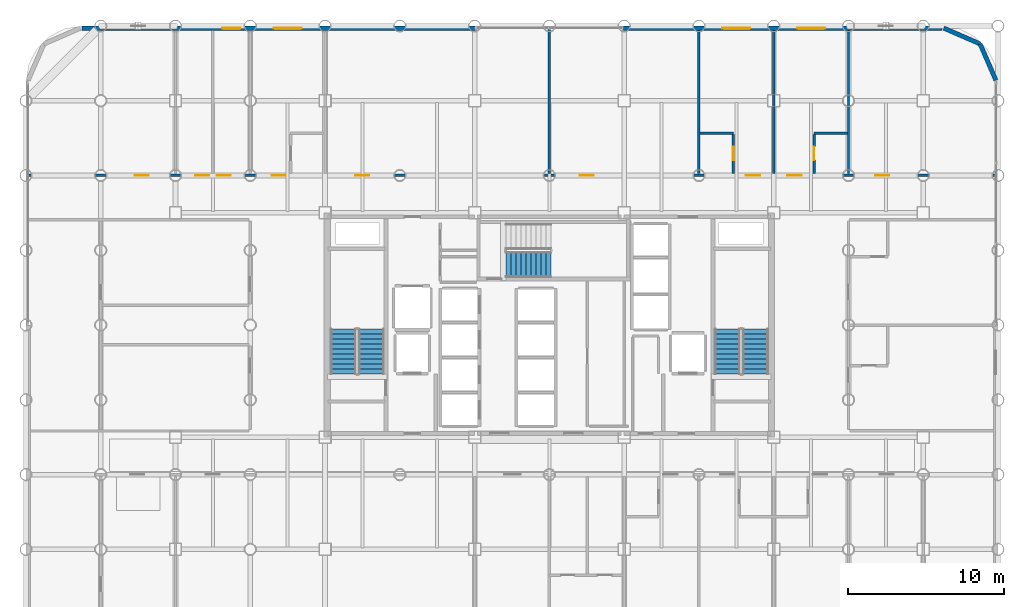
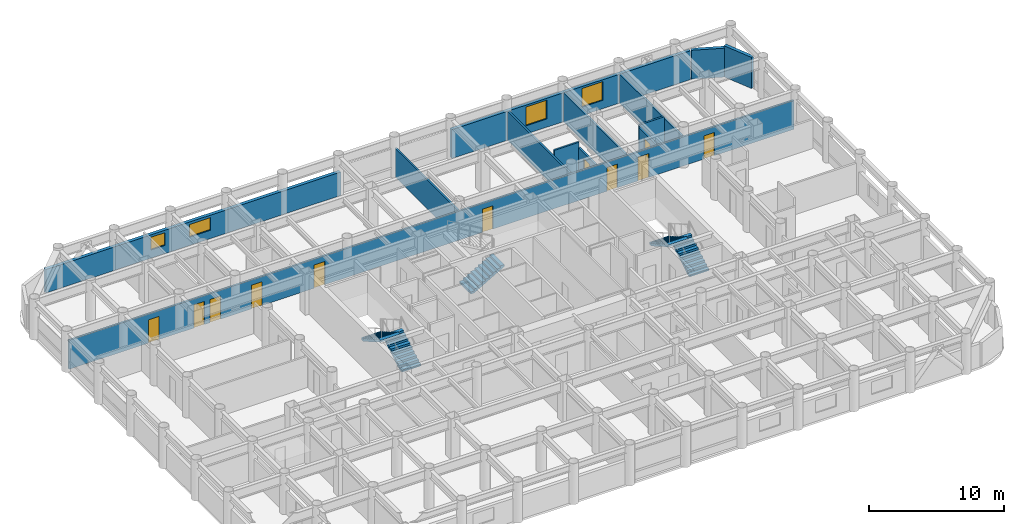
# One storey, part 19 of 22: 13 walls, 11 doors, 5 stair flights, 4 windows, 15 openings, 3 elements without a shape of their own.
"""IFC4 building model written with IfcOpenShell, lengths in metres."""

from ifc_helpers import new_model, si_unit, direction, frame, frame_2d, origin, place, context, subcontext, project, spatial, polyline, rectangle, outline, extrude, material, layer, layer_set, type_object, element, fill, aggregate, save


model = new_model("IFC4")

# Units and contexts
model_context = context("Model", 3, precision=1e-05, world=origin(), true_north=direction((0.0, 1.0)))
body_context = subcontext(model_context, "Body", "Model", "MODEL_VIEW")
ifc_project = project(units=[si_unit("LENGTHUNIT", "METRE"), si_unit("AREAUNIT", "SQUARE_METRE"), si_unit("VOLUMEUNIT", "CUBIC_METRE"), si_unit("PLANEANGLEUNIT", "RADIAN"), si_unit("MASSUNIT", "GRAM", prefix="KILO")], contexts=[model_context])

# Site, building, storey
site_placement = place(None, origin())
site = spatial("IfcSite", under=ifc_project, at=site_placement, CompositionType="ELEMENT")
building_placement = place(site_placement, origin())
building = spatial("IfcBuilding", under=site, at=building_placement, Name="Kallvorn Hotel Tower", CompositionType="ELEMENT")
storey_placement = place(building_placement, frame((0.0, 0.0, 48.5)))
storey = spatial("IfcBuildingStorey", under=building, at=storey_placement, Name="L10", CompositionType="ELEMENT", Elevation=48.5)

# Wall, openings, doors
ifc_material_1 = material(Name="Fire-rated double-layer acoustic gypsum drywall EI 60")
ifc_layer_1 = layer(ifc_material_1, 0.159912109375)
ifc_layer_set_1 = layer_set([ifc_layer_1], Name="WL_DEMISE_160")
wall_type_1 = type_object("IfcWallType", Name="WL_DEMISE_160", PredefinedType="PARTITIONING", material=ifc_layer_set_1)
wall_1_placement = place(storey_placement, frame((-33.429931640625, 9.60009765625, 0.0), z_axis=(0.0, 0.0, 1.0), x_axis=(1.0, 0.0, 0.0)))
wall_1 = element("IfcWall", 1, at=wall_1_placement, inside=storey, type_object=wall_type_1, Name="L10 Suite 1007 Standard Twin Room Partition", PredefinedType="PARTITIONING", context=body_context, shape_type="SweptSolid", body=[
    extrude(rectangle(XDim=62.059814453125, YDim=0.159912109375, at=frame_2d((31.02978515625, 0.0))), origin(), (0.0, 0.0, 1.0), 2.6201171875),
])
opening_1_placement = place(wall_1_placement, frame((6.799560546875, 0.0, 0.0)))
opening_1 = element("IfcOpeningElement", 2, at=opening_1_placement, cuts=wall_1, Name="Opening SVD1", PredefinedType="OPENING", context=body_context, shape_type="SweptSolid", body=[
    extrude(rectangle(XDim=0.89990234375, YDim=2.10009765625, at=frame_2d((0.449951171875, 1.050048828125))), frame((0.0, 0.094970703125, 0.0), z_axis=(0.0, -1.0, 0.0), x_axis=(1.0, 0.0, 0.0)), (0.0, 0.0, 1.0), 0.18994140625),
])
opening_2_placement = place(wall_1_placement, frame((54.360595703125, 0.0, 0.0)))
opening_2 = element("IfcOpeningElement", 3, at=opening_2_placement, cuts=wall_1, Name="Opening SVD1", PredefinedType="OPENING", context=body_context, shape_type="SweptSolid", body=[
    extrude(rectangle(XDim=0.89990234375, YDim=2.10009765625, at=frame_2d((0.449951171875, 1.050048828125))), frame((0.0, 0.094970703125, 0.0), z_axis=(0.0, -1.0, 0.0), x_axis=(1.0, 0.0, 0.0)), (0.0, 0.0, 1.0), 0.18994140625),
])
opening_3_placement = place(wall_1_placement, frame((10.68994140625, 0.0, 0.0)))
opening_3 = element("IfcOpeningElement", 4, at=opening_3_placement, cuts=wall_1, Name="Opening SVD1", PredefinedType="OPENING", context=body_context, shape_type="SweptSolid", body=[
    extrude(rectangle(XDim=0.89990234375, YDim=2.10009765625, at=frame_2d((0.449951171875, 1.050048828125))), frame((0.0, 0.094970703125, 0.0), z_axis=(0.0, -1.0, 0.0), x_axis=(1.0, 0.0, 0.0)), (0.0, 0.0, 1.0), 0.18994140625),
])
opening_4_placement = place(wall_1_placement, frame((12.070068359375, 0.0, 0.0)))
opening_4 = element("IfcOpeningElement", 5, at=opening_4_placement, cuts=wall_1, Name="Opening SVD1", PredefinedType="OPENING", context=body_context, shape_type="SweptSolid", body=[
    extrude(rectangle(XDim=0.89990234375, YDim=2.10009765625, at=frame_2d((0.449951171875, 1.050048828125))), frame((0.0, 0.094970703125, 0.0), z_axis=(0.0, -1.0, 0.0), x_axis=(1.0, 0.0, 0.0)), (0.0, 0.0, 1.0), 0.18994140625),
])
opening_5_placement = place(wall_1_placement, frame((15.60009765625, 0.0, 0.0)))
opening_5 = element("IfcOpeningElement", 6, at=opening_5_placement, cuts=wall_1, Name="Opening GD1", PredefinedType="OPENING", context=body_context, shape_type="SweptSolid", body=[
    extrude(rectangle(XDim=0.919921875, YDim=2.14990234375, at=frame_2d((0.4599609375, 1.074951171875))), frame((0.0, 0.094970703125, 0.0), z_axis=(0.0, -1.0, 0.0), x_axis=(1.0, 0.0, 0.0)), (0.0, 0.0, 1.0), 0.18994140625),
])
opening_6_placement = place(wall_1_placement, frame((20.97998046875, 0.0, 0.0)))
opening_6 = element("IfcOpeningElement", 7, at=opening_6_placement, cuts=wall_1, Name="Opening SVD1", PredefinedType="OPENING", context=body_context, shape_type="SweptSolid", body=[
    extrude(rectangle(XDim=0.89990234375, YDim=2.10009765625, at=frame_2d((0.449951171875, 1.050048828125))), frame((0.0, 0.094970703125, 0.0), z_axis=(0.0, -1.0, 0.0), x_axis=(1.0, 0.0, 0.0)), (0.0, 0.0, 1.0), 0.18994140625),
])
opening_7_placement = place(wall_1_placement, frame((35.3798828125, 0.0, 0.0)))
opening_7 = element("IfcOpeningElement", 8, at=opening_7_placement, cuts=wall_1, Name="Opening SVD1", PredefinedType="OPENING", context=body_context, shape_type="SweptSolid", body=[
    extrude(rectangle(XDim=0.89990234375, YDim=2.10009765625, at=frame_2d((0.449951171875, 1.050048828125))), frame((0.0, 0.094970703125, 0.0), z_axis=(0.0, -1.0, 0.0), x_axis=(1.0, 0.0, 0.0)), (0.0, 0.0, 1.0), 0.18994140625),
])
opening_8_placement = place(wall_1_placement, frame((46.034912109375, 0.0, 0.0)))
opening_8 = element("IfcOpeningElement", 9, at=opening_8_placement, cuts=wall_1, Name="Opening GD1", PredefinedType="OPENING", context=body_context, shape_type="SweptSolid", body=[
    extrude(rectangle(XDim=0.919921875, YDim=2.14990234375, at=frame_2d((0.4599609375, 1.074951171875))), frame((0.0, 0.094970703125, 0.0), z_axis=(0.0, -1.0, 0.0), x_axis=(1.0, 0.0, 0.0)), (0.0, 0.0, 1.0), 0.18994140625),
])
opening_9_placement = place(wall_1_placement, frame((48.705078125, 0.0, 0.0)))
opening_9 = element("IfcOpeningElement", 10, at=opening_9_placement, cuts=wall_1, Name="Opening GD1", PredefinedType="OPENING", context=body_context, shape_type="SweptSolid", body=[
    extrude(rectangle(XDim=0.919921875, YDim=2.14990234375, at=frame_2d((0.4599609375, 1.074951171875))), frame((0.0, 0.094970703125, 0.0), z_axis=(0.0, -1.0, 0.0), x_axis=(1.0, 0.0, 0.0)), (0.0, 0.0, 1.0), 0.18994140625),
])
ifc_material_2 = material(Name="Solid-core walnut veneer fire-rated timber door leaf", Category="wood")
door_type_1 = type_object("IfcDoorType", Name="DR_GUEST_920x2150", OperationType="NOTDEFINED", PredefinedType="DOOR", material=ifc_material_2)
door_1_placement = place(opening_5_placement, origin())
door_1 = element("IfcDoor", 11, at=door_1_placement, inside=storey, type_object=door_type_1, Name="L10 Suite 1007 Standard Twin Room Door", OperationType="SINGLE_SWING_RIGHT", OverallHeight=2.14990234375, OverallWidth=0.919921875, PredefinedType="DOOR", context=body_context, shape_type="SweptSolid", body=[
    extrude(rectangle(XDim=0.919921875, YDim=2.14990234375, at=frame_2d((0.4599609375, 1.074951171875))), frame((0.0, 0.02490234375, 0.0), z_axis=(0.0, -1.0, 0.0), x_axis=(1.0, 0.0, 0.0)), (0.0, 0.0, 1.0), 0.050048828125),
])
fill(opening_5, door_1)
door_2_placement = place(opening_8_placement, origin())
door_2 = element("IfcDoor", 12, at=door_2_placement, inside=storey, type_object=door_type_1, Name="L10 Suite 1008 Standard King Room Door", OperationType="SINGLE_SWING_RIGHT", OverallHeight=2.14990234375, OverallWidth=0.919921875, PredefinedType="DOOR", context=body_context, shape_type="SweptSolid", body=[
    extrude(rectangle(XDim=0.919921875, YDim=2.14990234375, at=frame_2d((0.4599609375, 1.074951171875))), frame((0.0, 0.02490234375, 0.0), z_axis=(0.0, -1.0, 0.0), x_axis=(1.0, 0.0, 0.0)), (0.0, 0.0, 1.0), 0.050048828125),
])
fill(opening_8, door_2)
door_3_placement = place(opening_9_placement, origin())
door_3 = element("IfcDoor", 13, at=door_3_placement, inside=storey, type_object=door_type_1, Name="L10 Suite 1009 Standard King Room Door", OperationType="SINGLE_SWING_RIGHT", OverallHeight=2.14990234375, OverallWidth=0.919921875, PredefinedType="DOOR", context=body_context, shape_type="SweptSolid", body=[
    extrude(rectangle(XDim=0.919921875, YDim=2.14990234375, at=frame_2d((0.4599609375, 1.074951171875))), frame((0.0, 0.02490234375, 0.0), z_axis=(0.0, -1.0, 0.0), x_axis=(1.0, 0.0, 0.0)), (0.0, 0.0, 1.0), 0.050048828125),
])
fill(opening_9, door_3)
ifc_material_3 = material(Name="Galvanised painted steel fire-rated door assembly", Category="steel")
door_type_2 = type_object("IfcDoorType", Name="DR_SERV_900x2100", OperationType="NOTDEFINED", PredefinedType="DOOR", material=ifc_material_3)
door_4_placement = place(opening_1_placement, origin())
door_4 = element("IfcDoor", 14, at=door_4_placement, inside=storey, type_object=door_type_2, Name="L10 L10 North-West Fitness Gymnasium Door", OperationType="SINGLE_SWING_RIGHT", OverallHeight=2.10009765625, OverallWidth=0.89990234375, PredefinedType="DOOR", context=body_context, shape_type="SweptSolid", body=[
    extrude(rectangle(XDim=0.89990234375, YDim=2.10009765625, at=frame_2d((0.449951171875, 1.050048828125))), frame((0.0, 0.02490234375, 0.0), z_axis=(0.0, -1.0, 0.0), x_axis=(1.0, 0.0, 0.0)), (0.0, 0.0, 1.0), 0.050048828125),
])
fill(opening_1, door_4)
door_5_placement = place(opening_2_placement, origin())
door_5 = element("IfcDoor", 15, at=door_5_placement, inside=storey, type_object=door_type_2, Name="L10 L10 North-East Reading Club Door", OperationType="SINGLE_SWING_LEFT", OverallHeight=2.10009765625, OverallWidth=0.89990234375, PredefinedType="DOOR", context=body_context, shape_type="SweptSolid", body=[
    extrude(rectangle(XDim=0.89990234375, YDim=2.10009765625, at=frame_2d((0.449951171875, 1.050048828125))), frame((0.0, 0.02490234375, 0.0), z_axis=(0.0, -1.0, 0.0), x_axis=(1.0, 0.0, 0.0)), (0.0, 0.0, 1.0), 0.050048828125),
])
fill(opening_2, door_5)
door_6_placement = place(opening_3_placement, origin())
door_6 = element("IfcDoor", 16, at=door_6_placement, inside=storey, type_object=door_type_2, Name="L10 Housekeeping and Linen Room Door", OperationType="SINGLE_SWING_LEFT", OverallHeight=2.10009765625, OverallWidth=0.89990234375, PredefinedType="DOOR", context=body_context, shape_type="SweptSolid", body=[
    extrude(rectangle(XDim=0.89990234375, YDim=2.10009765625, at=frame_2d((0.449951171875, 1.050048828125))), frame((0.0, 0.02490234375, 0.0), z_axis=(0.0, -1.0, 0.0), x_axis=(1.0, 0.0, 0.0)), (0.0, 0.0, 1.0), 0.050048828125),
])
fill(opening_3, door_6)
door_7_placement = place(opening_4_placement, origin())
door_7 = element("IfcDoor", 17, at=door_7_placement, inside=storey, type_object=door_type_2, Name="L10 Guest Tea and Refreshment Bar Door", OperationType="SINGLE_SWING_LEFT", OverallHeight=2.10009765625, OverallWidth=0.89990234375, PredefinedType="DOOR", context=body_context, shape_type="SweptSolid", body=[
    extrude(rectangle(XDim=0.89990234375, YDim=2.10009765625, at=frame_2d((0.449951171875, 1.050048828125))), frame((0.0, 0.02490234375, 0.0), z_axis=(0.0, -1.0, 0.0), x_axis=(1.0, 0.0, 0.0)), (0.0, 0.0, 1.0), 0.050048828125),
])
fill(opening_4, door_7)
door_8_placement = place(opening_6_placement, origin())
door_8 = element("IfcDoor", 18, at=door_8_placement, inside=storey, type_object=door_type_2, Name="L10 L10 Altitude Wellness Fitness Gymnasium 3 Door", OperationType="SINGLE_SWING_RIGHT", OverallHeight=2.10009765625, OverallWidth=0.89990234375, PredefinedType="DOOR", context=body_context, shape_type="SweptSolid", body=[
    extrude(rectangle(XDim=0.89990234375, YDim=2.10009765625, at=frame_2d((0.449951171875, 1.050048828125))), frame((0.0, 0.02490234375, 0.0), z_axis=(0.0, -1.0, 0.0), x_axis=(1.0, 0.0, 0.0)), (0.0, 0.0, 1.0), 0.050048828125),
])
fill(opening_6, door_8)
door_9_placement = place(opening_7_placement, origin())
door_9 = element("IfcDoor", 19, at=door_9_placement, inside=storey, type_object=door_type_2, Name="L10 L10 Curated Emerald Craft Retail Boutique 4 Door", OperationType="SINGLE_SWING_LEFT", OverallHeight=2.10009765625, OverallWidth=0.89990234375, PredefinedType="DOOR", context=body_context, shape_type="SweptSolid", body=[
    extrude(rectangle(XDim=0.89990234375, YDim=2.10009765625, at=frame_2d((0.449951171875, 1.050048828125))), frame((0.0, 0.02490234375, 0.0), z_axis=(0.0, -1.0, 0.0), x_axis=(1.0, 0.0, 0.0)), (0.0, 0.0, 1.0), 0.050048828125),
])
fill(opening_7, door_9)

# Walls
wall_2_placement = place(storey_placement, frame((9.679931640625, 12.320068359375, 0.0), z_axis=(0.0, 0.0, 1.0), x_axis=(1.0, 0.0, 0.0)))
element("IfcWall", 20, at=wall_2_placement, inside=storey, type_object=wall_type_1, Name="L10 Suite 1008 Standard King Room Partition", PredefinedType="PARTITIONING", context=body_context, shape_type="SweptSolid", body=[
    extrude(rectangle(XDim=2.130126953125, YDim=0.159912109375, at=frame_2d((1.06494140625, 0.0))), origin(), (0.0, 0.0, 1.0), 3.070068359375),
])
wall_3_placement = place(storey_placement, frame((16.989990234375, 12.320068359375, 0.0), z_axis=(0.0, 0.0, 1.0), x_axis=(1.0, 0.0, 0.0)))
element("IfcWall", 21, at=wall_3_placement, inside=storey, type_object=wall_type_1, Name="L10 Suite 1009 Standard King Room Partition", PredefinedType="PARTITIONING", context=body_context, shape_type="SweptSolid", body=[
    extrude(rectangle(XDim=2.130126953125, YDim=0.159912109375, at=frame_2d((1.06494140625, 0.0))), origin(), (0.0, 0.0, 1.0), 2.820068359375),
])
wall_4_placement = place(storey_placement, frame((9.60009765625, 9.719970703125, 0.0), z_axis=(0.0, 0.0, 1.0), x_axis=(0.0, 1.0, 0.0)))
element("IfcWall", 22, at=wall_4_placement, inside=storey, type_object=wall_type_1, Name="L10 Suite 1008 Standard King Room Partition", PredefinedType="PARTITIONING", context=body_context, shape_type="SweptSolid", body=[
    extrude(rectangle(XDim=9.18994140625, YDim=0.159912109375, at=frame_2d((4.594970703125, 0.0))), origin(), (0.0, 0.0, 1.0), 2.6201171875),
])

# Wall, opening, door
wall_5_placement = place(storey_placement, frame((11.81005859375, 9.719970703125, 0.0), z_axis=(0.0, 0.0, 1.0), x_axis=(0.0, 1.0, 0.0)))
wall_5 = element("IfcWall", 23, at=wall_5_placement, inside=storey, type_object=wall_type_1, Name="L10 Suite 1008 Standard King Room Partition", PredefinedType="PARTITIONING", context=body_context, shape_type="SweptSolid", body=[
    extrude(rectangle(XDim=2.51513671875, YDim=0.159912109375, at=frame_2d((1.257568359375, 0.0))), origin(), (0.0, 0.0, 1.0), 2.6201171875),
])
opening_10_placement = place(wall_5_placement, frame((0.8701171875, 0.0, 0.0)))
opening_10 = element("IfcOpeningElement", 24, at=opening_10_placement, cuts=wall_5, Name="Opening BD-I", PredefinedType="OPENING", context=body_context, shape_type="SweptSolid", body=[
    extrude(rectangle(XDim=0.860107421875, YDim=2.10009765625, at=frame_2d((0.43017578125, 1.050048828125))), frame((0.0, 0.094970703125, 0.0), z_axis=(0.0, -1.0, 0.0), x_axis=(1.0, 0.0, 0.0)), (0.0, 0.0, 1.0), 0.18994140625),
])
ifc_material_4 = material(Name="Solid-core walnut veneer fire-rated timber door leaf", Category="wood")
door_type_3 = type_object("IfcDoorType", Name="DR_BATH_860x2100", OperationType="NOTDEFINED", PredefinedType="DOOR", material=ifc_material_4)
door_10_placement = place(opening_10_placement, origin())
door_10 = element("IfcDoor", 25, at=door_10_placement, inside=storey, type_object=door_type_3, Name="L10 Suite 1008 En-Suite Bathroom Door", OperationType="SINGLE_SWING_LEFT", OverallHeight=2.10009765625, OverallWidth=0.860107421875, PredefinedType="DOOR", context=body_context, shape_type="SweptSolid", body=[
    extrude(rectangle(XDim=0.860107421875, YDim=2.10009765625, at=frame_2d((0.43017578125, 1.050048828125))), frame((0.0, 0.02490234375, 0.0), z_axis=(0.0, -1.0, 0.0), x_axis=(1.0, 0.0, 0.0)), (0.0, 0.0, 1.0), 0.050048828125),
])
fill(opening_10, door_10)

# Wall
wall_6_placement = place(storey_placement, frame((14.39990234375, 9.719970703125, 0.0), z_axis=(0.0, 0.0, 1.0), x_axis=(0.0, 1.0, 0.0)))
element("IfcWall", 26, at=wall_6_placement, inside=storey, type_object=wall_type_1, Name="L10 Suite 1008 Standard King Room Partition", PredefinedType="PARTITIONING", context=body_context, shape_type="SweptSolid", body=[
    extrude(rectangle(XDim=9.18994140625, YDim=0.159912109375, at=frame_2d((4.594970703125, 0.0))), origin(), (0.0, 0.0, 1.0), 2.6201171875),
])

# Wall, opening, door
wall_7_placement = place(storey_placement, frame((16.989990234375, 9.719970703125, 0.0), z_axis=(0.0, 0.0, 1.0), x_axis=(0.0, 1.0, 0.0)))
wall_7 = element("IfcWall", 27, at=wall_7_placement, inside=storey, type_object=wall_type_1, Name="L10 Suite 1009 Standard King Room Partition", PredefinedType="PARTITIONING", context=body_context, shape_type="SweptSolid", body=[
    extrude(rectangle(XDim=2.51513671875, YDim=0.159912109375, at=frame_2d((1.257568359375, 0.0))), origin(), (0.0, 0.0, 1.0), 2.6201171875),
])
opening_11_placement = place(wall_7_placement, frame((0.8701171875, 0.0, 0.0)))
opening_11 = element("IfcOpeningElement", 28, at=opening_11_placement, cuts=wall_7, Name="Opening BD-I", PredefinedType="OPENING", context=body_context, shape_type="SweptSolid", body=[
    extrude(rectangle(XDim=0.860107421875, YDim=2.10009765625, at=frame_2d((0.43017578125, 1.050048828125))), frame((0.0, 0.094970703125, 0.0), z_axis=(0.0, -1.0, 0.0), x_axis=(1.0, 0.0, 0.0)), (0.0, 0.0, 1.0), 0.18994140625),
])
door_11_placement = place(opening_11_placement, origin())
door_11 = element("IfcDoor", 29, at=door_11_placement, inside=storey, type_object=door_type_3, Name="L10 Suite 1009 En-Suite Bathroom Door", OperationType="SINGLE_SWING_LEFT", OverallHeight=2.10009765625, OverallWidth=0.860107421875, PredefinedType="DOOR", context=body_context, shape_type="SweptSolid", body=[
    extrude(rectangle(XDim=0.860107421875, YDim=2.10009765625, at=frame_2d((0.43017578125, 1.050048828125))), frame((0.0, 0.02490234375, 0.0), z_axis=(0.0, -1.0, 0.0), x_axis=(1.0, 0.0, 0.0)), (0.0, 0.0, 1.0), 0.050048828125),
])
fill(opening_11, door_11)

# Walls
wall_8_placement = place(storey_placement, frame((19.199951171875, 9.719970703125, 0.0), z_axis=(0.0, 0.0, 1.0), x_axis=(0.0, 1.0, 0.0)))
element("IfcWall", 30, at=wall_8_placement, inside=storey, type_object=wall_type_1, Name="L10 Suite 1009 Standard King Room Partition", PredefinedType="PARTITIONING", context=body_context, shape_type="SweptSolid", body=[
    extrude(rectangle(XDim=9.18994140625, YDim=0.159912109375, at=frame_2d((4.594970703125, 0.0))), origin(), (0.0, 0.0, 1.0), 2.6201171875),
])
ifc_material_5 = material(Name="Precast basalt-clad insulated concrete wall C40/50", Category="masonry")
ifc_layer_2 = layer(ifc_material_5, 0.280029296875)
ifc_layer_set_2 = layer_set([ifc_layer_2], Name="WL_EXT_LOGGIA_280")
wall_type_2 = type_object("IfcWallType", Name="WL_EXT_LOGGIA_280", PredefinedType="SOLIDWALL", material=ifc_layer_set_2)
wall_9_placement = place(storey_placement, frame((28.657958984375, 15.720703125, 0.0), z_axis=(0.0, 0.0, 1.0), x_axis=(-0.398792985289, 0.917040977756, 0.0)))
element("IfcWall", 31, at=wall_9_placement, inside=storey, type_object=wall_type_2, Name="L10 Rounded Corner Exterior Wall NE1", PredefinedType="SOLIDWALL", context=body_context, shape_type="SweptSolid", body=[
    extrude(rectangle(XDim=2.536376953125, YDim=0.280029296875, at=frame_2d((1.26806640625, 0.0))), origin(), (0.0, 0.0, 1.0), 2.820068359375),
])
wall_10_placement = place(storey_placement, frame((27.646484375, 18.046630859375, 0.0), z_axis=(0.0, 0.0, 1.0), x_axis=(-0.917060872934, 0.398747232384, 0.0)))
element("IfcWall", 32, at=wall_10_placement, inside=storey, type_object=wall_type_2, Name="L10 Rounded Corner Exterior Wall NE2", PredefinedType="SOLIDWALL", context=body_context, shape_type="SweptSolid", body=[
    extrude(rectangle(XDim=2.5361328125, YDim=0.280029296875, at=frame_2d((1.26806640625, 0.0))), origin(), (0.0, 0.0, 1.0), 2.6201171875),
])

# Wall, openings, windows
wall_11_placement = place(storey_placement, frame((-30.0, 19.06005859375, 0.0), z_axis=(0.0, 0.0, 1.0), x_axis=(1.0, 0.0, 0.0)))
wall_11 = element("IfcWall", 33, at=wall_11_placement, inside=storey, type_object=wall_type_2, Name="L10 Exterior Envelope Wall EW-L10-NW", PredefinedType="SOLIDWALL", context=body_context, shape_type="SweptSolid", body=[
    extrude(rectangle(XDim=25.25, YDim=0.280029296875, at=frame_2d((12.625, 0.0))), origin(), (0.0, 0.0, 1.0), 2.1201171875),
])
opening_12_placement = place(wall_11_placement, frame((9.0, 0.0, 0.75)))
opening_12 = element("IfcOpeningElement", 34, at=opening_12_placement, cuts=wall_11, Name="Opening W06A", PredefinedType="OPENING", context=body_context, shape_type="SweptSolid", body=[
    extrude(rectangle(XDim=1.199951171875, YDim=1.14990234375, at=frame_2d((0.60009765625, 0.574951171875))), frame((0.0, 0.155029296875, 0.0), z_axis=(0.0, -1.0, 0.0), x_axis=(1.0, 0.0, 0.0)), (0.0, 0.0, 1.0), 0.31005859375),
])
opening_13_placement = place(wall_11_placement, frame((12.300048828125, 0.0, 0.75)))
opening_13 = element("IfcOpeningElement", 35, at=opening_13_placement, cuts=wall_11, Name="Opening W04A", PredefinedType="OPENING", context=body_context, shape_type="SweptSolid", body=[
    extrude(rectangle(XDim=1.800048828125, YDim=1.14990234375, at=frame_2d((0.89990234375, 0.574951171875))), frame((0.0, 0.155029296875, 0.0), z_axis=(0.0, -1.0, 0.0), x_axis=(1.0, 0.0, 0.0)), (0.0, 0.0, 1.0), 0.31005859375),
])
ifc_material_6 = material(Name="Triple-glazed low-e acoustic solar-control dark glass", Category="glass")
window_type_1 = type_object("IfcWindowType", Name="WN_HTL_1200x1150", PartitioningType="SINGLE_PANEL", PredefinedType="WINDOW", material=ifc_material_6)
window_1_placement = place(opening_12_placement, origin())
window_1 = element("IfcWindow", 36, at=window_1_placement, inside=storey, type_object=window_type_1, Name="L10 Guestroom Exterior Window 06", OverallHeight=1.14990234375, OverallWidth=1.199951171875, PartitioningType="SINGLE_PANEL", PredefinedType="WINDOW", context=body_context, shape_type="SweptSolid", body=[
    extrude(rectangle(XDim=1.199951171875, YDim=1.14990234375, at=frame_2d((0.60009765625, 0.574951171875))), frame((0.0, 0.030029296875, 0.0), z_axis=(0.0, -1.0, 0.0), x_axis=(1.0, 0.0, 0.0)), (0.0, 0.0, 1.0), 0.06005859375),
])
fill(opening_12, window_1)
ifc_material_7 = material(Name="Double-glazed low-e solar-control dark glass", Category="glass")
window_type_2 = type_object("IfcWindowType", Name="WN_HTL_1800x1150", PartitioningType="SINGLE_PANEL", PredefinedType="WINDOW", material=ifc_material_7)
window_2_placement = place(opening_13_placement, origin())
window_2 = element("IfcWindow", 37, at=window_2_placement, inside=storey, type_object=window_type_2, Name="L10 Guestroom Exterior Window 07", OverallHeight=1.14990234375, OverallWidth=1.800048828125, PartitioningType="SINGLE_PANEL", PredefinedType="WINDOW", context=body_context, shape_type="SweptSolid", body=[
    extrude(rectangle(XDim=1.800048828125, YDim=1.14990234375, at=frame_2d((0.89990234375, 0.574951171875))), frame((0.0, 0.030029296875, 0.0), z_axis=(0.0, -1.0, 0.0), x_axis=(1.0, 0.0, 0.0)), (0.0, 0.0, 1.0), 0.06005859375),
])
fill(opening_13, window_2)

wall_12_placement = place(storey_placement, frame((4.75, 19.06005859375, 0.0), z_axis=(0.0, 0.0, 1.0), x_axis=(1.0, 0.0, 0.0)))
wall_12 = element("IfcWall", 38, at=wall_12_placement, inside=storey, type_object=wall_type_2, Name="L10 Exterior Envelope Wall EW-L10-NE", PredefinedType="SOLIDWALL", context=body_context, shape_type="SweptSolid", body=[
    extrude(rectangle(XDim=20.449951171875, YDim=0.280029296875, at=frame_2d((10.22509765625, 0.0))), origin(), (0.0, 0.0, 1.0), 2.6201171875),
])
opening_14_placement = place(wall_12_placement, frame((6.35009765625, 0.0, 0.75)))
opening_14 = element("IfcOpeningElement", 39, at=opening_14_placement, cuts=wall_12, Name="Opening W04", PredefinedType="OPENING", context=body_context, shape_type="SweptSolid", body=[
    extrude(rectangle(XDim=1.800048828125, YDim=1.699951171875, at=frame_2d((0.89990234375, 0.85009765625))), frame((0.0, 0.155029296875, 0.0), z_axis=(0.0, -1.0, 0.0), x_axis=(1.0, 0.0, 0.0)), (0.0, 0.0, 1.0), 0.31005859375),
])
opening_15_placement = place(wall_12_placement, frame((11.14990234375, 0.0, 0.75)))
opening_15 = element("IfcOpeningElement", 40, at=opening_15_placement, cuts=wall_12, Name="Opening W04", PredefinedType="OPENING", context=body_context, shape_type="SweptSolid", body=[
    extrude(rectangle(XDim=1.800048828125, YDim=1.699951171875, at=frame_2d((0.89990234375, 0.85009765625))), frame((0.0, 0.155029296875, 0.0), z_axis=(0.0, -1.0, 0.0), x_axis=(1.0, 0.0, 0.0)), (0.0, 0.0, 1.0), 0.31005859375),
])
ifc_material_8 = material(Name="Double-glazed low-e solar-control dark glass", Category="glass")
window_type_3 = type_object("IfcWindowType", Name="WN_HTL_1800x1700", PartitioningType="SINGLE_PANEL", PredefinedType="WINDOW", material=ifc_material_8)
window_3_placement = place(opening_14_placement, origin())
window_3 = element("IfcWindow", 41, at=window_3_placement, inside=storey, type_object=window_type_3, Name="L10 Guestroom Exterior Window 08", OverallHeight=1.699951171875, OverallWidth=1.800048828125, PartitioningType="SINGLE_PANEL", PredefinedType="WINDOW", context=body_context, shape_type="SweptSolid", body=[
    extrude(rectangle(XDim=1.800048828125, YDim=1.699951171875, at=frame_2d((0.89990234375, 0.85009765625))), frame((0.0, 0.030029296875, 0.0), z_axis=(0.0, -1.0, 0.0), x_axis=(1.0, 0.0, 0.0)), (0.0, 0.0, 1.0), 0.06005859375),
])
fill(opening_14, window_3)
window_4_placement = place(opening_15_placement, origin())
window_4 = element("IfcWindow", 42, at=window_4_placement, inside=storey, type_object=window_type_3, Name="L10 Guestroom Exterior Window 09", OverallHeight=1.699951171875, OverallWidth=1.800048828125, PartitioningType="SINGLE_PANEL", PredefinedType="WINDOW", context=body_context, shape_type="SweptSolid", body=[
    extrude(rectangle(XDim=1.800048828125, YDim=1.699951171875, at=frame_2d((0.89990234375, 0.85009765625))), frame((0.0, 0.030029296875, 0.0), z_axis=(0.0, -1.0, 0.0), x_axis=(1.0, 0.0, 0.0)), (0.0, 0.0, 1.0), 0.06005859375),
])
fill(opening_15, window_4)

# Wall
ifc_material_9 = material(Name="Fire-rated double-layer acoustic gypsum drywall EI 60")
ifc_layer_3 = layer(ifc_material_9, 0.14990234375)
ifc_layer_set_3 = layer_set([ifc_layer_3], Name="WL_PART_150")
wall_type_3 = type_object("IfcWallType", Name="WL_PART_150", PredefinedType="PARTITIONING", material=ifc_layer_set_3)
wall_13_placement = place(storey_placement, frame((0.0, 9.719970703125, 0.0), z_axis=(0.0, 0.0, 1.0), x_axis=(0.0, 1.0, 0.0)))
element("IfcWall", 43, at=wall_13_placement, inside=storey, type_object=wall_type_3, Name="L10 L10 Altitude Wellness Fitness Gymnasium 3 Partition", PredefinedType="PARTITIONING", context=body_context, shape_type="SweptSolid", body=[
    extrude(rectangle(XDim=9.275146484375, YDim=0.14990234375, at=frame_2d((4.6376953125, 0.0))), origin(), (0.0, 0.0, 1.0), 2.6201171875),
])

# Stair, stair flights
ifc_material_10 = material(Name="Precast concrete C40/50", Category="concrete")
stair_type = type_object("IfcStairType", Name="STR_CORE_DOGLEG", PredefinedType="HALF_TURN_STAIR", material=ifc_material_10)
stair_1_placement = place(storey_placement, origin())
stair_1 = element("IfcStair", 44, at=stair_1_placement, inside=storey, type_object=stair_type, Name="L10 Exit stair ST1", PredefinedType="HALF_TURN_STAIR")
ifc_material_11 = material(Name="Precast concrete C40/50", Category="concrete")
stair_flight_type = type_object("IfcStairFlightType", Name="FLT_CORE_1660", PredefinedType="STRAIGHT", material=ifc_material_11)
stair_flight_1_placement = place(storey_placement, frame((-11.429931640625, -3.139892578125, 0.0), z_axis=(0.0, 0.0, 1.0), x_axis=(0.0, 1.0, 0.0)))
stair_flight_1 = element("IfcStairFlight", 45, at=stair_flight_1_placement, type_object=stair_flight_type, Name="ST1 flight 1", NumberOfRisers=10, NumberOfTreads=9, PredefinedType="STRAIGHT", RiserHeight=0.185, TreadLength=0.32, context=body_context, shape_type="SweptSolid", body=[
    extrude(outline(polyline([(0.0, 0.0), (0.0, 0.18505859375), (0.320068359375, 0.18505859375), (0.320068359375, 0.3701171875), (0.639892578125, 0.3701171875), (0.639892578125, 0.554931640625), (0.9599609375, 0.554931640625), (0.9599609375, 0.739990234375), (1.280029296875, 0.739990234375), (1.280029296875, 0.925048828125), (1.60009765625, 0.925048828125), (1.60009765625, 1.110107421875), (1.919921875, 1.110107421875), (1.919921875, 1.294921875), (2.239990234375, 1.294921875), (2.239990234375, 1.47998046875), (2.56005859375, 1.47998046875), (2.56005859375, 1.6650390625), (2.8798828125, 1.6650390625), (2.8798828125, 1.85009765625), (2.8798828125, 1.491943359375), (0.299560546875, 0.0), (0.0, 0.0)])), frame((0.0, 0.830078125, 0.0), z_axis=(0.0, -1.0, 0.0), x_axis=(1.0, 0.0, 0.0)), (0.0, 0.0, 1.0), 1.659912109375),
])
stair_flight_2_placement = place(storey_placement, frame((-13.22998046875, -0.260009765625, 1.85009765625), z_axis=(0.0, 0.0, 1.0), x_axis=(0.0, -1.0, 0.0)))
stair_flight_2 = element("IfcStairFlight", 46, at=stair_flight_2_placement, type_object=stair_flight_type, Name="ST1 flight 2", NumberOfRisers=10, NumberOfTreads=9, PredefinedType="STRAIGHT", RiserHeight=0.185, TreadLength=0.32, context=body_context, shape_type="SweptSolid", body=[
    extrude(outline(polyline([(0.0, 0.0), (0.0, 0.18505859375), (0.320068359375, 0.18505859375), (0.320068359375, 0.3701171875), (0.639892578125, 0.3701171875), (0.639892578125, 0.554931640625), (0.9599609375, 0.554931640625), (0.9599609375, 0.739990234375), (1.280029296875, 0.739990234375), (1.280029296875, 0.925048828125), (1.60009765625, 0.925048828125), (1.60009765625, 1.110107421875), (1.919921875, 1.110107421875), (1.919921875, 1.294921875), (2.239990234375, 1.294921875), (2.239990234375, 1.47998046875), (2.56005859375, 1.47998046875), (2.56005859375, 1.6650390625), (2.8798828125, 1.6650390625), (2.8798828125, 1.85009765625), (2.8798828125, 1.491943359375), (0.299560546875, 0.0), (0.0, 0.0)])), frame((0.0, 0.830078125, 0.0), z_axis=(0.0, -1.0, 0.0), x_axis=(1.0, 0.0, 0.0)), (0.0, 0.0, 1.0), 1.659912109375),
])
aggregate(stair_1, [stair_flight_1, stair_flight_2])

stair_2_placement = place(storey_placement, origin())
stair_2 = element("IfcStair", 47, at=stair_2_placement, inside=storey, type_object=stair_type, Name="L10 Exit stair ST2", PredefinedType="HALF_TURN_STAIR")
stair_flight_3_placement = place(storey_placement, frame((13.22998046875, -3.139892578125, 0.0), z_axis=(0.0, 0.0, 1.0), x_axis=(0.0, 1.0, 0.0)))
stair_flight_3 = element("IfcStairFlight", 48, at=stair_flight_3_placement, type_object=stair_flight_type, Name="ST2 flight 1", NumberOfRisers=10, NumberOfTreads=9, PredefinedType="STRAIGHT", RiserHeight=0.185, TreadLength=0.32, context=body_context, shape_type="SweptSolid", body=[
    extrude(outline(polyline([(0.0, 0.0), (0.0, 0.18505859375), (0.320068359375, 0.18505859375), (0.320068359375, 0.3701171875), (0.639892578125, 0.3701171875), (0.639892578125, 0.554931640625), (0.9599609375, 0.554931640625), (0.9599609375, 0.739990234375), (1.280029296875, 0.739990234375), (1.280029296875, 0.925048828125), (1.60009765625, 0.925048828125), (1.60009765625, 1.110107421875), (1.919921875, 1.110107421875), (1.919921875, 1.294921875), (2.239990234375, 1.294921875), (2.239990234375, 1.47998046875), (2.56005859375, 1.47998046875), (2.56005859375, 1.6650390625), (2.8798828125, 1.6650390625), (2.8798828125, 1.85009765625), (2.8798828125, 1.491943359375), (0.299560546875, 0.0), (0.0, 0.0)])), frame((0.0, 0.830078125, 0.0), z_axis=(0.0, -1.0, 0.0), x_axis=(1.0, 0.0, 0.0)), (0.0, 0.0, 1.0), 1.659912109375),
])
stair_flight_4_placement = place(storey_placement, frame((11.429931640625, -0.260009765625, 1.85009765625), z_axis=(0.0, 0.0, 1.0), x_axis=(0.0, -1.0, 0.0)))
stair_flight_4 = element("IfcStairFlight", 49, at=stair_flight_4_placement, type_object=stair_flight_type, Name="ST2 flight 2", NumberOfRisers=10, NumberOfTreads=9, PredefinedType="STRAIGHT", RiserHeight=0.185, TreadLength=0.32, context=body_context, shape_type="SweptSolid", body=[
    extrude(outline(polyline([(0.0, 0.0), (0.0, 0.18505859375), (0.320068359375, 0.18505859375), (0.320068359375, 0.3701171875), (0.639892578125, 0.3701171875), (0.639892578125, 0.554931640625), (0.9599609375, 0.554931640625), (0.9599609375, 0.739990234375), (1.280029296875, 0.739990234375), (1.280029296875, 0.925048828125), (1.60009765625, 0.925048828125), (1.60009765625, 1.110107421875), (1.919921875, 1.110107421875), (1.919921875, 1.294921875), (2.239990234375, 1.294921875), (2.239990234375, 1.47998046875), (2.56005859375, 1.47998046875), (2.56005859375, 1.6650390625), (2.8798828125, 1.6650390625), (2.8798828125, 1.85009765625), (2.8798828125, 1.491943359375), (0.299560546875, 0.0), (0.0, 0.0)])), frame((0.0, 0.830078125, 0.0), z_axis=(0.0, -1.0, 0.0), x_axis=(1.0, 0.0, 0.0)), (0.0, 0.0, 1.0), 1.659912109375),
])
aggregate(stair_2, [stair_flight_3, stair_flight_4])

# Stair, stair flight
stair_3_placement = place(storey_placement, origin())
stair_3 = element("IfcStair", 50, at=stair_3_placement, inside=storey, type_object=stair_type, Name="L10 Exit stair ST3", PredefinedType="HALF_TURN_STAIR")
stair_flight_5_placement = place(storey_placement, frame((-2.7900390625, 3.8798828125, 0.0), z_axis=(0.0, 0.0, 1.0), x_axis=(1.0, 0.0, 0.0)))
stair_flight_5 = element("IfcStairFlight", 51, at=stair_flight_5_placement, type_object=stair_flight_type, Name="ST3 flight 1", NumberOfRisers=10, NumberOfTreads=9, PredefinedType="STRAIGHT", RiserHeight=0.185, TreadLength=0.32, context=body_context, shape_type="SweptSolid", body=[
    extrude(outline(polyline([(0.0, 0.0), (0.0, 0.18505859375), (0.320068359375, 0.18505859375), (0.320068359375, 0.3701171875), (0.639892578125, 0.3701171875), (0.639892578125, 0.554931640625), (0.9599609375, 0.554931640625), (0.9599609375, 0.739990234375), (1.280029296875, 0.739990234375), (1.280029296875, 0.925048828125), (1.60009765625, 0.925048828125), (1.60009765625, 1.110107421875), (1.919921875, 1.110107421875), (1.919921875, 1.294921875), (2.239990234375, 1.294921875), (2.239990234375, 1.47998046875), (2.56005859375, 1.47998046875), (2.56005859375, 1.6650390625), (2.8798828125, 1.6650390625), (2.8798828125, 1.85009765625), (2.8798828125, 1.491943359375), (0.299560546875, 0.0), (0.0, 0.0)])), frame((0.0, 0.830078125, 0.0), z_axis=(0.0, -1.0, 0.0), x_axis=(1.0, 0.0, 0.0)), (0.0, 0.0, 1.0), 1.659912109375),
])
aggregate(stair_3, [stair_flight_5])

save(model, "model.ifc")
